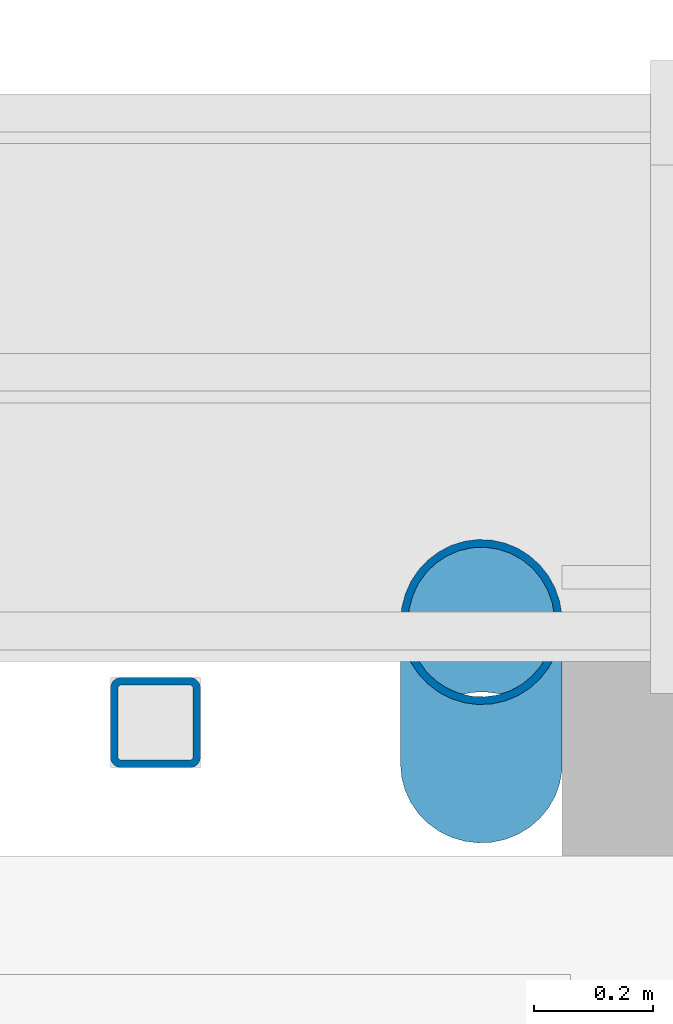
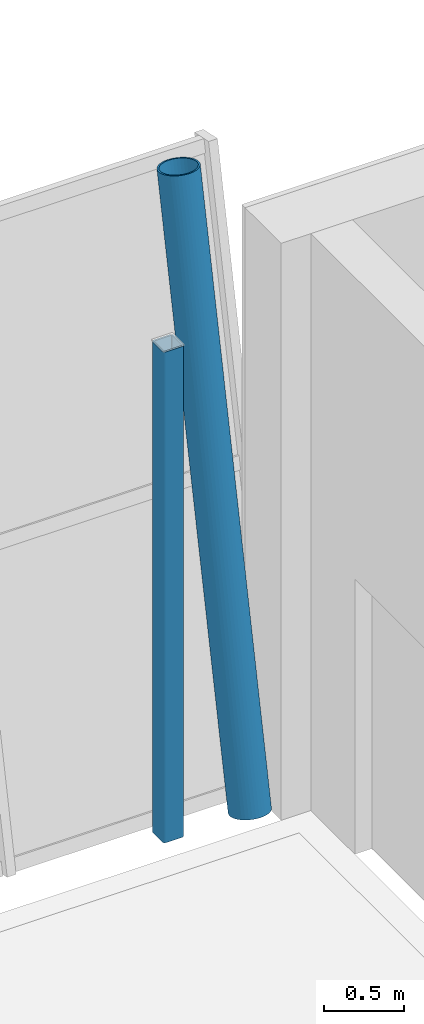
# One storey, part 24 of 115: 2 columns.
"""IFC4 building model written with IfcOpenShell, lengths in metres."""

from ifc_helpers import new_model, si_unit, direction, frame, origin, origin_2d, place, context, subcontext, project, spatial, hollow_rectangle, hollow_circle, extrude, material, material_profile, profile_set, type_object, element, save


model = new_model("IFC4")

# Units and contexts
model_context = context("Model", 3, precision=1e-05, world=origin(), true_north=direction((0.0, 1.0)))
body_context = subcontext(model_context, "Body", "Model", "MODEL_VIEW")
ifc_project = project(units=[si_unit("LENGTHUNIT", "METRE"), si_unit("AREAUNIT", "SQUARE_METRE"), si_unit("VOLUMEUNIT", "CUBIC_METRE"), si_unit("PLANEANGLEUNIT", "RADIAN"), si_unit("MASSUNIT", "GRAM", prefix="KILO")], contexts=[model_context])

# Site, building, storey
site_placement = place(None, origin())
site = spatial("IfcSite", under=ifc_project, at=site_placement, CompositionType="ELEMENT")
building_placement = place(site_placement, origin())
building = spatial("IfcBuilding", under=site, at=building_placement, Name="Windward Yard Aquatics Centre", CompositionType="ELEMENT")
storey_placement = place(building_placement, frame((0.0, 0.0, 5.0)))
storey = spatial("IfcBuildingStorey", under=building, at=storey_placement, Name="L01", CompositionType="ELEMENT", Elevation=5.0)

# Columns
ifc_material = material(Name="Steel ASTM A500 Gr C", Category="steel")
ifc_material_profile_1 = material_profile(ifc_material, hollow_rectangle(XDim=0.15234375, YDim=0.15234375, WallThickness=0.0126953125, InnerFilletRadius=0.00634765625, OuterFilletRadius=0.01904296875, at=origin_2d()), Name="HSS152X152X12.7")
ifc_profile_set_1 = profile_set([ifc_material_profile_1], Name="Steel ASTM A500 Gr C")
column_type_1 = type_object("IfcColumnType", Name="H gallery column HSS152X152X12.7", PredefinedType="COLUMN", material=ifc_profile_set_1)
column_1_placement = place(storey_placement, frame((139.10009765625, 95.77490234375, 0.0), z_axis=(0.0, 0.0, 1.0), x_axis=(1.0, 0.0, 0.0)))
element("IfcColumn", 1, at=column_1_placement, inside=storey, type_object=column_type_1, Name="H.GC.N8.L01", PredefinedType="COLUMN", context=body_context, shape_type="SweptSolid", body=[
    extrude(hollow_rectangle(XDim=0.15234375, YDim=0.15234375, WallThickness=0.0126953125, InnerFilletRadius=0.00634765625, OuterFilletRadius=0.01904296875, at=origin_2d()), origin(), (0.0, 0.0, 1.0), 3.742919921875),
])
ifc_material_profile_2 = material_profile(ifc_material, hollow_circle(Radius=0.136474609375, WallThickness=0.0126953125, at=origin_2d()), Name="HSS273.1X12.7")
ifc_profile_set_2 = profile_set([ifc_material_profile_2], Name="Steel ASTM A500 Gr C")
column_type_2 = type_object("IfcColumnType", Name="H tier 1 leg HSS273.1X12.7", PredefinedType="COLUMN", material=ifc_profile_set_2)
column_2_placement = place(storey_placement, frame((139.64990234375, 95.70556640625, 0.02734375), z_axis=(0.0, 0.19937683017, 0.979922894717), x_axis=(-1.0, 0.0, 0.0)))
element("IfcColumn", 2, at=column_2_placement, inside=storey, type_object=column_type_2, Name="H.TL.N8.T1A.L01", PredefinedType="COLUMN", context=body_context, shape_type="SweptSolid", body=[
    extrude(hollow_circle(Radius=0.136474609375, WallThickness=0.0126953125, at=origin_2d()), origin(), (0.0, 0.0, 1.0), 4.462158203125),
])

save(model, "model.ifc")
